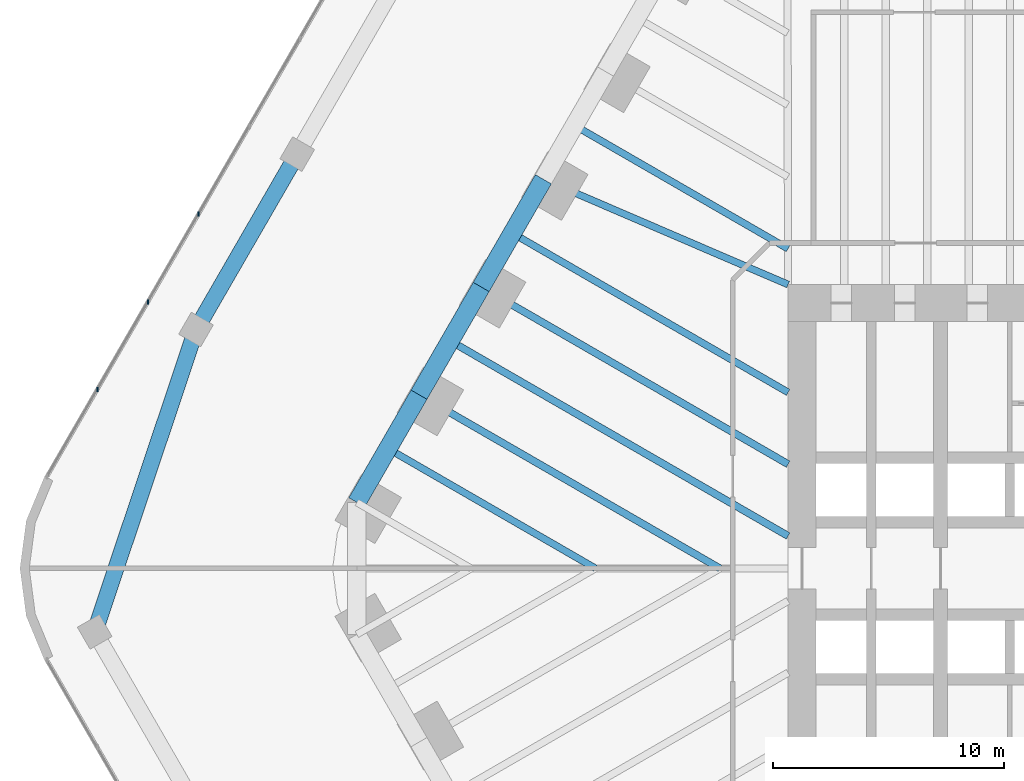
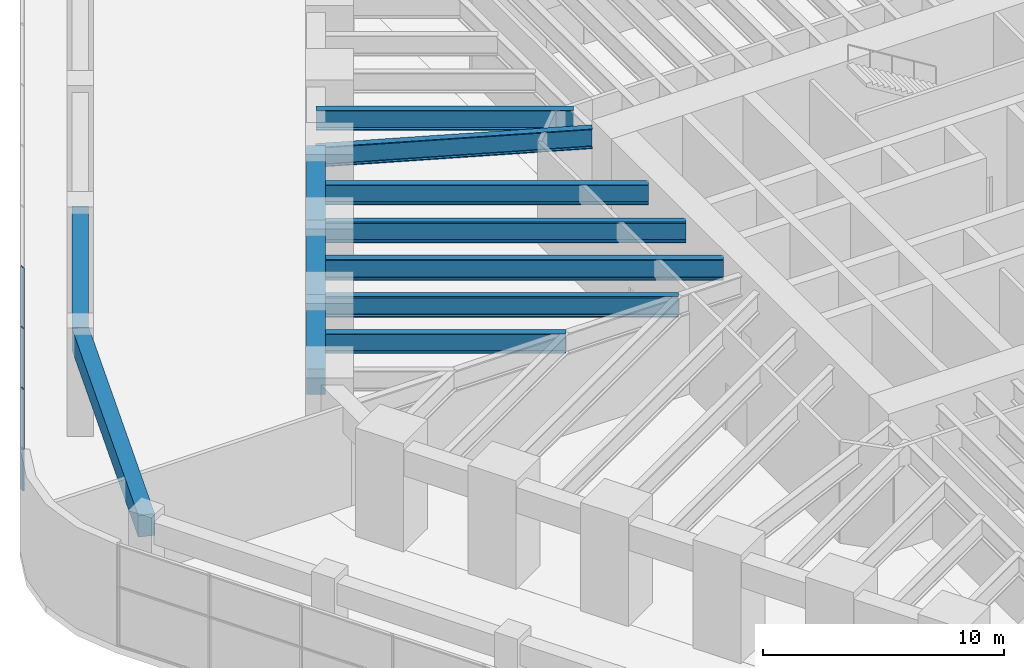
# One storey, part 10 of 31: 12 beams, 3 members, 1 element without a shape of its own.
"""IFC4 building model written with IfcOpenShell, lengths in metres."""

from ifc_helpers import new_model, si_unit, direction, frame, origin, origin_2d, place, context, subcontext, project, spatial, rectangle, i_section, extrude, material, material_profile, profile_set, type_object, element, aggregate, save


model = new_model("IFC4")

# Units and contexts
model_context = context("Model", 3, precision=1e-05, world=origin(), true_north=direction((0.0, 1.0)))
body_context = subcontext(model_context, "Body", "Model", "MODEL_VIEW")
ifc_project = project(units=[si_unit("LENGTHUNIT", "METRE"), si_unit("AREAUNIT", "SQUARE_METRE"), si_unit("VOLUMEUNIT", "CUBIC_METRE"), si_unit("PLANEANGLEUNIT", "RADIAN"), si_unit("MASSUNIT", "GRAM", prefix="KILO")], contexts=[model_context])

# Site, building, storey
site_placement = place(None, origin())
site = spatial("IfcSite", under=ifc_project, at=site_placement, CompositionType="ELEMENT")
building_placement = place(site_placement, origin())
building = spatial("IfcBuilding", under=site, at=building_placement, Name="Tarfa Lantern Tower", CompositionType="ELEMENT")
storey_placement = place(building_placement, frame((0.0, 0.0, 13.0)))
storey = spatial("IfcBuildingStorey", under=building, at=storey_placement, Name="L02", CompositionType="ELEMENT", Elevation=13.0)

# Curtain wall, members
ifc_material_1 = material(Name="Aluminium framed curtain wall", Category="aluminium")
curtain_wall_type = type_object("IfcCurtainWallType", Name="CW7 PODIUM GLAZING 5150", PredefinedType="USERDEFINED", material=ifc_material_1)
curtain_wall_placement = place(storey_placement, origin())
curtain_wall = element("IfcCurtainWall", 1, at=curtain_wall_placement, inside=storey, type_object=curtain_wall_type, Name="CW7 NW L02", ObjectType="CURTAIN WALL", PredefinedType="USERDEFINED")
ifc_material_2 = material(Name="Aluminium mullion", Category="aluminium")
ifc_material_profile_1 = material_profile(ifc_material_2, rectangle(XDim=0.06494140625, YDim=0.199951171875, at=origin_2d()), Name="AL MULLION 65x200")
ifc_profile_set_1 = profile_set([ifc_material_profile_1], Name="Aluminium mullion")
member_type = type_object("IfcMemberType", Name="CWM1 MULLION 65x200", PredefinedType="MULLION", material=ifc_profile_set_1)
member_1_placement = place(storey_placement, frame((-44.138427734375, 15.35009765625, 0.0), z_axis=(0.0, 0.0, 1.0), x_axis=(1.0, 0.0, 0.0)))
member_1 = element("IfcMember", 2, at=member_1_placement, type_object=member_type, Name="CW7 mullion 8", PredefinedType="MULLION", context=body_context, shape_type="SweptSolid", body=[
    extrude(rectangle(XDim=0.06494140625, YDim=0.199951171875, at=origin_2d()), origin(), (0.0, 0.0, 1.0), 5.14990234375),
])
member_2_placement = place(storey_placement, frame((-46.332275390625, 11.550048828125, 0.0), z_axis=(0.0, 0.0, 1.0), x_axis=(1.0, 0.0, 0.0)))
member_2 = element("IfcMember", 3, at=member_2_placement, type_object=member_type, Name="CW7 mullion 9", PredefinedType="MULLION", context=body_context, shape_type="SweptSolid", body=[
    extrude(rectangle(XDim=0.06494140625, YDim=0.199951171875, at=origin_2d()), origin(), (0.0, 0.0, 1.0), 5.14990234375),
])
member_3_placement = place(storey_placement, frame((-48.5263671875, 7.75, 0.0), z_axis=(0.0, 0.0, 1.0), x_axis=(1.0, 0.0, 0.0)))
member_3 = element("IfcMember", 4, at=member_3_placement, type_object=member_type, Name="CW7 mullion 10", PredefinedType="MULLION", context=body_context, shape_type="SweptSolid", body=[
    extrude(rectangle(XDim=0.06494140625, YDim=0.199951171875, at=origin_2d()), origin(), (0.0, 0.0, 1.0), 5.14990234375),
])
aggregate(curtain_wall, [member_1, member_2, member_3])

# Beams
ifc_material_3 = material(Name="Concrete C80/95", Category="concrete")
ifc_material_profile_2 = material_profile(ifc_material_3, rectangle(XDim=0.800048828125, YDim=1.300048828125, at=origin_2d()), Name="RC 800x1300")
ifc_profile_set_2 = profile_set([ifc_material_profile_2], Name="Concrete C80/95")
beam_type_1 = type_object("IfcBeamType", Name="EB1 RC 800x1300", PredefinedType="SPANDREL", material=ifc_profile_set_2)
for number, where, z_axis, x_axis, name in (
    (5, (-29.202392578125, 16.860107421875, 4.5), (-0.499998287579, -0.866026392449, 0.0), (0.866026392449, -0.499998287579, 0.0), "Edge beam NW3"),
    (6, (-31.896728515625, 12.193359375, 4.5), (-0.499998287579, -0.866026392449, 0.0), (0.866026392449, -0.499998287579, 0.0), "Edge beam NW4"),
):
    element("IfcBeam", number, at=place(storey_placement, frame(where, z_axis=z_axis, x_axis=x_axis)), inside=storey, type_object=beam_type_1, Name=name, PredefinedType="SPANDREL", context=body_context, shape_type="SweptSolid", body=[
        extrude(rectangle(XDim=0.800048828125, YDim=1.300048828125, at=origin_2d()), origin(), (0.0, 0.0, 1.0), 5.388671875),
    ])
beam_1_placement = place(storey_placement, frame((-34.591064453125, 7.526611328125, 4.5), z_axis=(-0.500017906299, -0.866015065331, 0.0), x_axis=(0.866015065331, -0.500017906299, 0.0)))
element("IfcBeam", 7, at=beam_1_placement, inside=storey, type_object=beam_type_1, Name="Edge beam NW5", PredefinedType="SPANDREL", context=body_context, shape_type="SweptSolid", body=[
    extrude(rectangle(XDim=0.800048828125, YDim=1.300048828125, at=origin_2d()), origin(), (0.0, 0.0, 1.0), 5.388427734375),
])
ifc_material_profile_3 = material_profile(ifc_material_3, rectangle(XDim=0.699951171875, YDim=1.10009765625, at=origin_2d()), Name="RC 700x1100")
ifc_profile_set_3 = profile_set([ifc_material_profile_3], Name="Concrete C80/95")
beam_type_2 = type_object("IfcBeamType", Name="PB1 RC 700x1100", PredefinedType="BEAM", material=ifc_profile_set_3)
beam_2_placement = place(storey_placement, frame((-39.865966796875, 17.949951171875, 4.60009765625), z_axis=(-0.500013843384, -0.866017411155, 0.0), x_axis=(0.866017411155, -0.500013843384, 0.0)))
element("IfcBeam", 8, at=beam_2_placement, inside=storey, type_object=beam_type_2, Name="Podium ring beam NW3", PredefinedType="BEAM", context=body_context, shape_type="SweptSolid", body=[
    extrude(rectangle(XDim=0.699951171875, YDim=1.10009765625, at=origin_2d()), origin(), (0.0, 0.0, 1.0), 8.775634765625),
])
beam_3_placement = place(storey_placement, frame((-44.25390625, 10.35009765625, 4.60009765625), z_axis=(-0.317611113529, -0.948221061021, 0.0), x_axis=(0.948221061021, -0.317611113529, 0.0)))
element("IfcBeam", 9, at=beam_3_placement, inside=storey, type_object=beam_type_2, Name="Podium ring beam NW4", PredefinedType="BEAM", context=body_context, shape_type="SweptSolid", body=[
    extrude(rectangle(XDim=0.699951171875, YDim=1.10009765625, at=origin_2d()), origin(), (0.0, 0.0, 1.0), 13.8154296875),
])
ifc_material_4 = material(Name="Steel S460M", Category="steel")
ifc_material_profile_4 = material_profile(ifc_material_4, i_section(OverallWidth=0.302001953125, OverallDepth=1.008056640625, WebThickness=0.02099609375, FlangeThickness=0.0400390625, FilletRadius=0.030029296875, at=origin_2d()), Name="UB1016x305x349")
ifc_profile_set_4 = profile_set([ifc_material_profile_4], Name="Steel S460M")
beam_type_3 = type_object("IfcBeamType", Name="UB1016x305x349", PredefinedType="BEAM", material=ifc_profile_set_4)
beam_4_placement = place(storey_placement, frame((-29.202392578125, 16.860107421875, 4.64599609375), z_axis=(0.918635483867, -0.395106122175, 0.0), x_axis=(0.395106122175, 0.918635483867, 0.0)))
element("IfcBeam", 10, at=beam_4_placement, inside=storey, type_object=beam_type_3, Name="Floor beam NW3", PredefinedType="BEAM", context=body_context, shape_type="SweptSolid", body=[
    extrude(i_section(OverallWidth=0.302001953125, OverallDepth=1.008056640625, WebThickness=0.02099609375, FlangeThickness=0.0400390625, FilletRadius=0.030029296875, at=origin_2d()), origin(), (0.0, 0.0, 1.0), 11.541259765625),
])
beam_5_placement = place(storey_placement, frame((-27.855224609375, 19.193359375, 4.64599609375), z_axis=(0.866028034017, -0.499995444275, 0.0), x_axis=(0.499995444275, 0.866028034017, 0.0)))
element("IfcBeam", 11, at=beam_5_placement, inside=storey, type_object=beam_type_3, Name="Floor beam NW2M", PredefinedType="BEAM", context=body_context, shape_type="SweptSolid", body=[
    extrude(i_section(OverallWidth=0.302001953125, OverallDepth=1.008056640625, WebThickness=0.02099609375, FlangeThickness=0.0400390625, FilletRadius=0.030029296875, at=origin_2d()), origin(), (0.0, 0.0, 1.0), 10.68310546875),
])
beam_6_placement = place(storey_placement, frame((-30.549560546875, 14.526611328125, 4.64599609375), z_axis=(0.866028536827, -0.499994573371, 0.0), x_axis=(0.499994573371, 0.866028536827, 0.0)))
element("IfcBeam", 12, at=beam_6_placement, inside=storey, type_object=beam_type_3, Name="Floor beam NW3M", PredefinedType="BEAM", context=body_context, shape_type="SweptSolid", body=[
    extrude(i_section(OverallWidth=0.302001953125, OverallDepth=1.008056640625, WebThickness=0.02099609375, FlangeThickness=0.0400390625, FilletRadius=0.030029296875, at=origin_2d()), origin(), (0.0, 0.0, 1.0), 13.798095703125),
])
beam_7_placement = place(storey_placement, frame((-35.938232421875, 5.193359375, 4.64599609375), z_axis=(0.866024317969, -0.500001880682, 0.0), x_axis=(0.500001880682, 0.866024317969, 0.0)))
element("IfcBeam", 13, at=beam_7_placement, inside=storey, type_object=beam_type_3, Name="Floor beam NW5M", PredefinedType="BEAM", context=body_context, shape_type="SweptSolid", body=[
    extrude(i_section(OverallWidth=0.302001953125, OverallDepth=1.008056640625, WebThickness=0.02099609375, FlangeThickness=0.0400390625, FilletRadius=0.030029296875, at=origin_2d()), origin(), (0.0, 0.0, 1.0), 10.38671875),
])
ifc_material_profile_5 = material_profile(ifc_material_4, i_section(OverallWidth=0.314208984375, OverallDepth=1.055908203125, WebThickness=0.035888671875, FlangeThickness=0.06396484375, FilletRadius=0.030029296875, at=origin_2d()), Name="UB1016x305x584")
ifc_profile_set_5 = profile_set([ifc_material_profile_5], Name="Steel S460M")
beam_type_4 = type_object("IfcBeamType", Name="UB1016x305x584", PredefinedType="BEAM", material=ifc_profile_set_5)
beam_8_placement = place(storey_placement, frame((-31.896728515625, 12.193359375, 4.6220703125), z_axis=(0.866026971665, -0.499997284341, 0.0), x_axis=(0.499997284341, 0.866026971665, 0.0)))
element("IfcBeam", 14, at=beam_8_placement, inside=storey, type_object=beam_type_4, Name="Floor beam NW4", PredefinedType="BEAM", context=body_context, shape_type="SweptSolid", body=[
    extrude(i_section(OverallWidth=0.314208984375, OverallDepth=1.055908203125, WebThickness=0.035888671875, FlangeThickness=0.06396484375, FilletRadius=0.030029296875, at=origin_2d()), origin(), (0.0, 0.0, 1.0), 15.353515625),
])
beam_9_placement = place(storey_placement, frame((-34.591064453125, 7.526611328125, 4.6220703125), z_axis=(0.86602785945, -0.499995746638, 0.0), x_axis=(0.499995746638, 0.86602785945, 0.0)))
element("IfcBeam", 15, at=beam_9_placement, inside=storey, type_object=beam_type_4, Name="Floor beam NW5", PredefinedType="BEAM", context=body_context, shape_type="SweptSolid", body=[
    extrude(i_section(OverallWidth=0.314208984375, OverallDepth=1.055908203125, WebThickness=0.035888671875, FlangeThickness=0.06396484375, FilletRadius=0.030029296875, at=origin_2d()), origin(), (0.0, 0.0, 1.0), 15.053466796875),
])
beam_10_placement = place(storey_placement, frame((-33.243896484375, 9.860107421875, 4.6220703125), z_axis=(0.866019442478, -0.500010325144, 0.0), x_axis=(0.500010325144, 0.866019442478, 0.0)))
element("IfcBeam", 16, at=beam_10_placement, inside=storey, type_object=beam_type_4, Name="Floor beam NW4M", PredefinedType="BEAM", context=body_context, shape_type="SweptSolid", body=[
    extrude(i_section(OverallWidth=0.314208984375, OverallDepth=1.055908203125, WebThickness=0.035888671875, FlangeThickness=0.06396484375, FilletRadius=0.030029296875, at=origin_2d()), origin(), (0.0, 0.0, 1.0), 16.909423828125),
])

save(model, "model.ifc")
